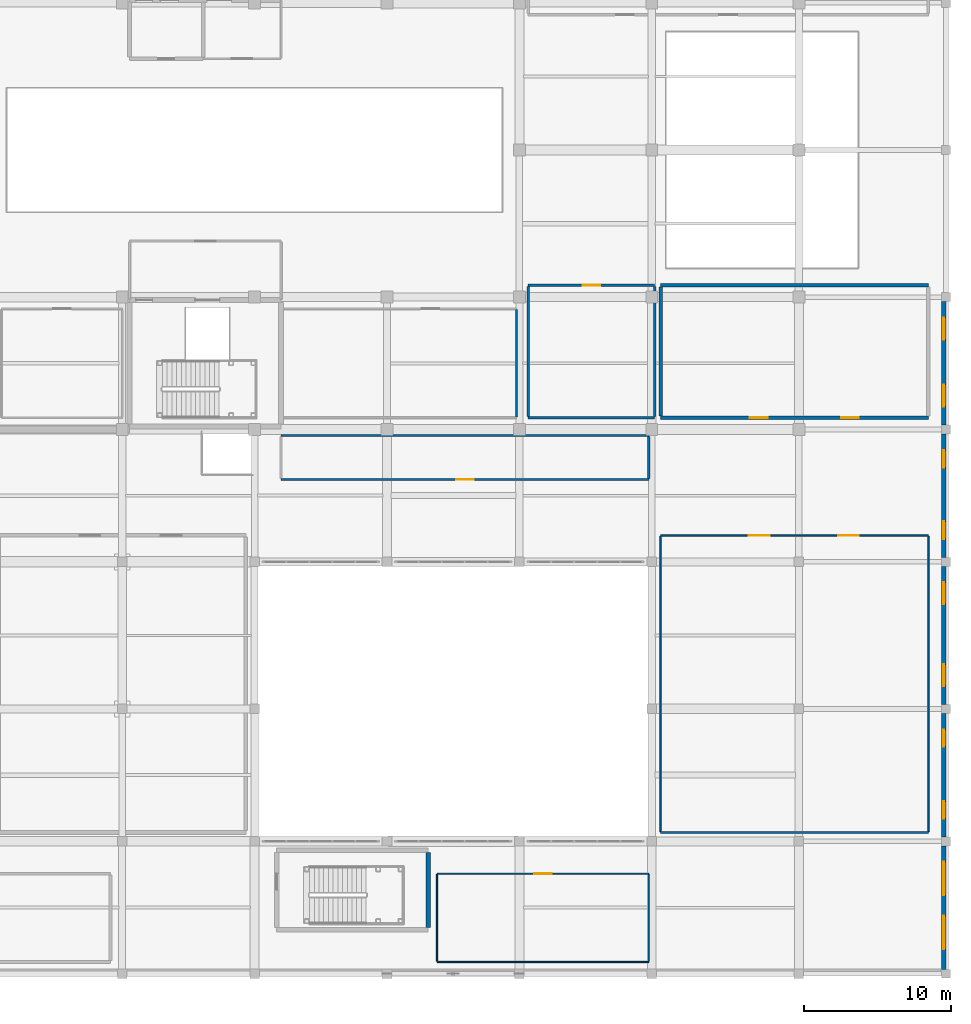
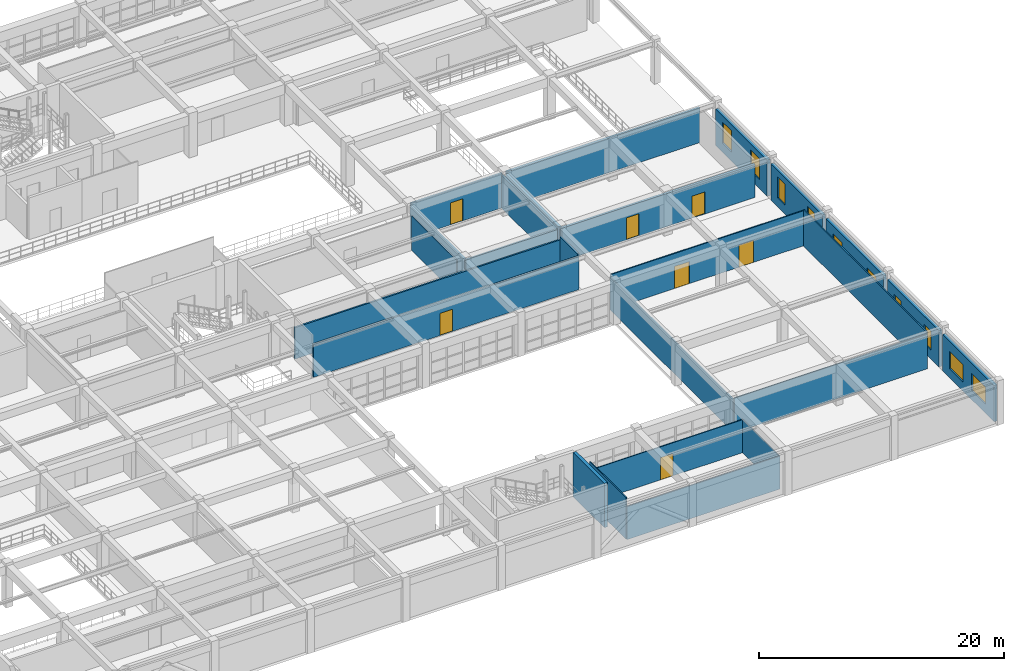
# One storey, part 116 of 133: 25 walls, 10 windows, 7 doors, 17 openings.
"""IFC4 building model written with IfcOpenShell, lengths in metres."""

from ifc_helpers import new_model, si_unit, direction, frame, frame_2d, origin, place, context, subcontext, project, spatial, rectangle, extrude, material, layer, layer_set, type_object, element, fill, save


model = new_model("IFC4")

# Units and contexts
model_context = context("Model", 3, precision=1e-05, world=origin(), true_north=direction((0.0, 1.0)))
body_context = subcontext(model_context, "Body", "Model", "MODEL_VIEW")
ifc_project = project(units=[si_unit("LENGTHUNIT", "METRE"), si_unit("AREAUNIT", "SQUARE_METRE"), si_unit("VOLUMEUNIT", "CUBIC_METRE"), si_unit("PLANEANGLEUNIT", "RADIAN"), si_unit("MASSUNIT", "GRAM", prefix="KILO")], contexts=[model_context])

# Site, building, storey
site_placement = place(None, origin())
site = spatial("IfcSite", under=ifc_project, at=site_placement, CompositionType="ELEMENT")
building_placement = place(site_placement, origin())
building = spatial("IfcBuilding", under=site, at=building_placement, Name="Miravela Opera House", CompositionType="ELEMENT")
storey_placement = place(building_placement, frame((0.0, 0.0, 5.10009765625)))
storey = spatial("IfcBuildingStorey", under=building, at=storey_placement, Name="L01", CompositionType="ELEMENT", Elevation=5.10009765625)

# Wall, openings, windows
ifc_material_1 = material(Name="Insulated cream lime-stuccoed masonry", Category="masonry")
ifc_layer_1 = layer(ifc_material_1, 0.2900390625)
ifc_layer_set_1 = layer_set([ifc_layer_1])
wall_type_1 = type_object("IfcWallType", Name="ARC-EW-STUCCO-290", PredefinedType="STANDARD", material=ifc_layer_set_1)
wall_1_placement = place(storey_placement, frame((163.85009765625, 0.300048828125, 0.0), z_axis=(0.0, 0.0, 1.0), x_axis=(0.0, 1.0, 0.0)))
wall_1 = element("IfcWall", 1, at=wall_1_placement, inside=storey, type_object=wall_type_1, Name="Spanish Colonial Stucco Facade Wall L01-001", PredefinedType="STANDARD", context=body_context, shape_type="SweptSolid", body=[
    extrude(rectangle(XDim=8.39990234375, YDim=0.2900390625, at=frame_2d((4.199951171875, 0.0))), origin(), (0.0, 0.0, 1.0), 3.616943359375),
])
opening_1_placement = place(wall_1_placement, frame((1.35009765625, 0.0, 0.89990234375)))
opening_1 = element("IfcOpeningElement", 2, at=opening_1_placement, cuts=wall_1, Name="Opening W-34", PredefinedType="OPENING", context=body_context, shape_type="SweptSolid", body=[
    extrude(rectangle(XDim=2.280029296875, YDim=1.719970703125, at=frame_2d((1.14013671875, 0.85986328125))), frame((0.0, 0.155029296875, 0.0), z_axis=(0.0, -1.0, 0.0), x_axis=(1.0, 0.0, 0.0)), (0.0, 0.0, 1.0), 0.31005859375),
])
opening_2_placement = place(wall_1_placement, frame((5.02001953125, 0.0, 0.89990234375)))
opening_2 = element("IfcOpeningElement", 3, at=opening_2_placement, cuts=wall_1, Name="Opening W-34", PredefinedType="OPENING", context=body_context, shape_type="SweptSolid", body=[
    extrude(rectangle(XDim=2.280029296875, YDim=1.719970703125, at=frame_2d((1.14013671875, 0.85986328125))), frame((0.0, 0.155029296875, 0.0), z_axis=(0.0, -1.0, 0.0), x_axis=(1.0, 0.0, 0.0)), (0.0, 0.0, 1.0), 0.31005859375),
])
ifc_material_2 = material(Name="Bronze-anodised aluminium and acoustic low-E glass", Category="aluminium")
window_type_1 = type_object("IfcWindowType", Name="ARC-WIN-34", PartitioningType="TRIPLE_PANEL_VERTICAL", PredefinedType="WINDOW", material=ifc_material_2)
window_1_placement = place(opening_1_placement, origin())
window_1 = element("IfcWindow", 4, at=window_1_placement, inside=storey, type_object=window_type_1, Name="Window W-34 #025", OverallHeight=1.719970703125, OverallWidth=2.280029296875, PartitioningType="TRIPLE_PANEL_VERTICAL", PredefinedType="WINDOW", context=body_context, shape_type="SweptSolid", body=[
    extrude(rectangle(XDim=2.280029296875, YDim=1.719970703125, at=frame_2d((1.14013671875, 0.85986328125))), frame((0.0, 0.030029296875, 0.0), z_axis=(0.0, -1.0, 0.0), x_axis=(1.0, 0.0, 0.0)), (0.0, 0.0, 1.0), 0.06005859375),
])
fill(opening_1, window_1)
window_2_placement = place(opening_2_placement, origin())
window_2 = element("IfcWindow", 5, at=window_2_placement, inside=storey, type_object=window_type_1, Name="Window W-34 #026", OverallHeight=1.719970703125, OverallWidth=2.280029296875, PartitioningType="TRIPLE_PANEL_VERTICAL", PredefinedType="WINDOW", context=body_context, shape_type="SweptSolid", body=[
    extrude(rectangle(XDim=2.280029296875, YDim=1.719970703125, at=frame_2d((1.14013671875, 0.85986328125))), frame((0.0, 0.030029296875, 0.0), z_axis=(0.0, -1.0, 0.0), x_axis=(1.0, 0.0, 0.0)), (0.0, 0.0, 1.0), 0.06005859375),
])
fill(opening_2, window_2)

wall_2_placement = place(storey_placement, frame((163.85009765625, 9.300048828125, 0.0), z_axis=(0.0, 0.0, 1.0), x_axis=(0.0, 1.0, 0.0)))
wall_2 = element("IfcWall", 6, at=wall_2_placement, inside=storey, type_object=wall_type_1, Name="Spanish Colonial Stucco Facade Wall L01-002", PredefinedType="STANDARD", context=body_context, shape_type="SweptSolid", body=[
    extrude(rectangle(XDim=8.39990234375, YDim=0.2900390625, at=frame_2d((4.199951171875, 0.0))), origin(), (0.0, 0.0, 1.0), 3.616943359375),
])
opening_3_placement = place(wall_2_placement, frame((1.25, 0.0, 0.89990234375)))
opening_3 = element("IfcOpeningElement", 7, at=opening_3_placement, cuts=wall_2, Name="Opening W-35", PredefinedType="OPENING", context=body_context, shape_type="SweptSolid", body=[
    extrude(rectangle(XDim=1.159912109375, YDim=1.89990234375, at=frame_2d((0.580078125, 0.949951171875))), frame((0.0, 0.155029296875, 0.0), z_axis=(0.0, -1.0, 0.0), x_axis=(1.0, 0.0, 0.0)), (0.0, 0.0, 1.0), 0.31005859375),
])
opening_4_placement = place(wall_2_placement, frame((6.139892578125, 0.0, 0.89990234375)))
opening_4 = element("IfcOpeningElement", 8, at=opening_4_placement, cuts=wall_2, Name="Opening W-35", PredefinedType="OPENING", context=body_context, shape_type="SweptSolid", body=[
    extrude(rectangle(XDim=1.159912109375, YDim=1.89990234375, at=frame_2d((0.580078125, 0.949951171875))), frame((0.0, 0.155029296875, 0.0), z_axis=(0.0, -1.0, 0.0), x_axis=(1.0, 0.0, 0.0)), (0.0, 0.0, 1.0), 0.31005859375),
])
window_type_2 = type_object("IfcWindowType", Name="ARC-WIN-35", PartitioningType="SINGLE_PANEL", PredefinedType="WINDOW", material=ifc_material_2)
window_3_placement = place(opening_3_placement, origin())
window_3 = element("IfcWindow", 9, at=window_3_placement, inside=storey, type_object=window_type_2, Name="Window W-35 #027", OverallHeight=1.89990234375, OverallWidth=1.159912109375, PartitioningType="SINGLE_PANEL", PredefinedType="WINDOW", context=body_context, shape_type="SweptSolid", body=[
    extrude(rectangle(XDim=1.159912109375, YDim=1.89990234375, at=frame_2d((0.580078125, 0.949951171875))), frame((0.0, 0.030029296875, 0.0), z_axis=(0.0, -1.0, 0.0), x_axis=(1.0, 0.0, 0.0)), (0.0, 0.0, 1.0), 0.06005859375),
])
fill(opening_3, window_3)
window_4_placement = place(opening_4_placement, origin())
window_4 = element("IfcWindow", 10, at=window_4_placement, inside=storey, type_object=window_type_2, Name="Window W-35 #028", OverallHeight=1.89990234375, OverallWidth=1.159912109375, PartitioningType="SINGLE_PANEL", PredefinedType="WINDOW", context=body_context, shape_type="SweptSolid", body=[
    extrude(rectangle(XDim=1.159912109375, YDim=1.89990234375, at=frame_2d((0.580078125, 0.949951171875))), frame((0.0, 0.030029296875, 0.0), z_axis=(0.0, -1.0, 0.0), x_axis=(1.0, 0.0, 0.0)), (0.0, 0.0, 1.0), 0.06005859375),
])
fill(opening_4, window_4)

wall_3_placement = place(storey_placement, frame((163.85009765625, 18.300048828125, 0.0), z_axis=(0.0, 0.0, 1.0), x_axis=(0.0, 1.0, 0.0)))
wall_3 = element("IfcWall", 11, at=wall_3_placement, inside=storey, type_object=wall_type_1, Name="Spanish Colonial Stucco Facade Wall L01-003", PredefinedType="STANDARD", context=body_context, shape_type="SweptSolid", body=[
    extrude(rectangle(XDim=9.39990234375, YDim=0.2900390625, at=frame_2d((4.699951171875, 0.0))), origin(), (0.0, 0.0, 1.0), 3.616943359375),
])
opening_5_placement = place(wall_3_placement, frame((1.25, 0.0, 0.89990234375)))
opening_5 = element("IfcOpeningElement", 12, at=opening_5_placement, cuts=wall_3, Name="Opening W-36", PredefinedType="OPENING", context=body_context, shape_type="SweptSolid", body=[
    extrude(rectangle(XDim=1.47998046875, YDim=1.89990234375, at=frame_2d((0.739990234375, 0.949951171875))), frame((0.0, 0.155029296875, 0.0), z_axis=(0.0, -1.0, 0.0), x_axis=(1.0, 0.0, 0.0)), (0.0, 0.0, 1.0), 0.31005859375),
])
opening_6_placement = place(wall_3_placement, frame((6.820068359375, 0.0, 0.89990234375)))
opening_6 = element("IfcOpeningElement", 13, at=opening_6_placement, cuts=wall_3, Name="Opening W-36", PredefinedType="OPENING", context=body_context, shape_type="SweptSolid", body=[
    extrude(rectangle(XDim=1.47998046875, YDim=1.89990234375, at=frame_2d((0.739990234375, 0.949951171875))), frame((0.0, 0.155029296875, 0.0), z_axis=(0.0, -1.0, 0.0), x_axis=(1.0, 0.0, 0.0)), (0.0, 0.0, 1.0), 0.31005859375),
])
window_type_3 = type_object("IfcWindowType", Name="ARC-WIN-36", PartitioningType="DOUBLE_PANEL_VERTICAL", PredefinedType="WINDOW", material=ifc_material_2)
window_5_placement = place(opening_5_placement, origin())
window_5 = element("IfcWindow", 14, at=window_5_placement, inside=storey, type_object=window_type_3, Name="Window W-36 #029", OverallHeight=1.89990234375, OverallWidth=1.47998046875, PartitioningType="DOUBLE_PANEL_VERTICAL", PredefinedType="WINDOW", context=body_context, shape_type="SweptSolid", body=[
    extrude(rectangle(XDim=1.47998046875, YDim=1.89990234375, at=frame_2d((0.739990234375, 0.949951171875))), frame((0.0, 0.030029296875, 0.0), z_axis=(0.0, -1.0, 0.0), x_axis=(1.0, 0.0, 0.0)), (0.0, 0.0, 1.0), 0.06005859375),
])
fill(opening_5, window_5)
window_6_placement = place(opening_6_placement, origin())
window_6 = element("IfcWindow", 15, at=window_6_placement, inside=storey, type_object=window_type_3, Name="Window W-36 #030", OverallHeight=1.89990234375, OverallWidth=1.47998046875, PartitioningType="DOUBLE_PANEL_VERTICAL", PredefinedType="WINDOW", context=body_context, shape_type="SweptSolid", body=[
    extrude(rectangle(XDim=1.47998046875, YDim=1.89990234375, at=frame_2d((0.739990234375, 0.949951171875))), frame((0.0, 0.030029296875, 0.0), z_axis=(0.0, -1.0, 0.0), x_axis=(1.0, 0.0, 0.0)), (0.0, 0.0, 1.0), 0.06005859375),
])
fill(opening_6, window_6)

wall_4_placement = place(storey_placement, frame((163.85009765625, 28.300048828125, 0.0), z_axis=(0.0, 0.0, 1.0), x_axis=(0.0, 1.0, 0.0)))
wall_4 = element("IfcWall", 16, at=wall_4_placement, inside=storey, type_object=wall_type_1, Name="Spanish Colonial Stucco Facade Wall L01-004", PredefinedType="STANDARD", context=body_context, shape_type="SweptSolid", body=[
    extrude(rectangle(XDim=8.39990234375, YDim=0.2900390625, at=frame_2d((4.199951171875, 0.0))), origin(), (0.0, 0.0, 1.0), 3.616943359375),
])
opening_7_placement = place(wall_4_placement, frame((1.25, 0.0, 0.89990234375)))
opening_7 = element("IfcOpeningElement", 17, at=opening_7_placement, cuts=wall_4, Name="Opening W-01", PredefinedType="OPENING", context=body_context, shape_type="SweptSolid", body=[
    extrude(rectangle(XDim=1.199951171875, YDim=2.10009765625, at=frame_2d((0.60009765625, 1.050048828125))), frame((0.0, 0.155029296875, 0.0), z_axis=(0.0, -1.0, 0.0), x_axis=(1.0, 0.0, 0.0)), (0.0, 0.0, 1.0), 0.31005859375),
])
opening_8_placement = place(wall_4_placement, frame((6.10009765625, 0.0, 0.89990234375)))
opening_8 = element("IfcOpeningElement", 18, at=opening_8_placement, cuts=wall_4, Name="Opening W-01", PredefinedType="OPENING", context=body_context, shape_type="SweptSolid", body=[
    extrude(rectangle(XDim=1.199951171875, YDim=2.10009765625, at=frame_2d((0.60009765625, 1.050048828125))), frame((0.0, 0.155029296875, 0.0), z_axis=(0.0, -1.0, 0.0), x_axis=(1.0, 0.0, 0.0)), (0.0, 0.0, 1.0), 0.31005859375),
])
window_type_4 = type_object("IfcWindowType", Name="ARC-WIN-01", PartitioningType="SINGLE_PANEL", PredefinedType="WINDOW", material=ifc_material_2)
window_7_placement = place(opening_7_placement, origin())
window_7 = element("IfcWindow", 19, at=window_7_placement, inside=storey, type_object=window_type_4, Name="Window W-01 #031", OverallHeight=2.10009765625, OverallWidth=1.199951171875, PartitioningType="SINGLE_PANEL", PredefinedType="WINDOW", context=body_context, shape_type="SweptSolid", body=[
    extrude(rectangle(XDim=1.199951171875, YDim=2.10009765625, at=frame_2d((0.60009765625, 1.050048828125))), frame((0.0, 0.030029296875, 0.0), z_axis=(0.0, -1.0, 0.0), x_axis=(1.0, 0.0, 0.0)), (0.0, 0.0, 1.0), 0.06005859375),
])
fill(opening_7, window_7)
window_8_placement = place(opening_8_placement, origin())
window_8 = element("IfcWindow", 20, at=window_8_placement, inside=storey, type_object=window_type_4, Name="Window W-01 #032", OverallHeight=2.10009765625, OverallWidth=1.199951171875, PartitioningType="SINGLE_PANEL", PredefinedType="WINDOW", context=body_context, shape_type="SweptSolid", body=[
    extrude(rectangle(XDim=1.199951171875, YDim=2.10009765625, at=frame_2d((0.60009765625, 1.050048828125))), frame((0.0, 0.030029296875, 0.0), z_axis=(0.0, -1.0, 0.0), x_axis=(1.0, 0.0, 0.0)), (0.0, 0.0, 1.0), 0.06005859375),
])
fill(opening_8, window_8)

wall_5_placement = place(storey_placement, frame((163.85009765625, 37.300048828125, 0.0), z_axis=(0.0, 0.0, 1.0), x_axis=(0.0, 1.0, 0.0)))
wall_5 = element("IfcWall", 21, at=wall_5_placement, inside=storey, type_object=wall_type_1, Name="Spanish Colonial Stucco Facade Wall L01-005", PredefinedType="STANDARD", context=body_context, shape_type="SweptSolid", body=[
    extrude(rectangle(XDim=8.39990234375, YDim=0.2900390625, at=frame_2d((4.199951171875, 0.0))), origin(), (0.0, 0.0, 1.0), 3.616943359375),
])
opening_9_placement = place(wall_5_placement, frame((1.25, 0.0, 0.89990234375)))
opening_9 = element("IfcOpeningElement", 22, at=opening_9_placement, cuts=wall_5, Name="Opening W-02", PredefinedType="OPENING", context=body_context, shape_type="SweptSolid", body=[
    extrude(rectangle(XDim=1.5, YDim=2.10009765625, at=frame_2d((0.75, 1.050048828125))), frame((0.0, 0.155029296875, 0.0), z_axis=(0.0, -1.0, 0.0), x_axis=(1.0, 0.0, 0.0)), (0.0, 0.0, 1.0), 0.31005859375),
])
opening_10_placement = place(wall_5_placement, frame((5.800048828125, 0.0, 0.89990234375)))
opening_10 = element("IfcOpeningElement", 23, at=opening_10_placement, cuts=wall_5, Name="Opening W-02", PredefinedType="OPENING", context=body_context, shape_type="SweptSolid", body=[
    extrude(rectangle(XDim=1.5, YDim=2.10009765625, at=frame_2d((0.75, 1.050048828125))), frame((0.0, 0.155029296875, 0.0), z_axis=(0.0, -1.0, 0.0), x_axis=(1.0, 0.0, 0.0)), (0.0, 0.0, 1.0), 0.31005859375),
])
window_type_5 = type_object("IfcWindowType", Name="ARC-WIN-02", PartitioningType="DOUBLE_PANEL_VERTICAL", PredefinedType="WINDOW", material=ifc_material_2)
window_9_placement = place(opening_9_placement, origin())
window_9 = element("IfcWindow", 24, at=window_9_placement, inside=storey, type_object=window_type_5, Name="Window W-02 #033", OverallHeight=2.10009765625, OverallWidth=1.5, PartitioningType="DOUBLE_PANEL_VERTICAL", PredefinedType="WINDOW", context=body_context, shape_type="SweptSolid", body=[
    extrude(rectangle(XDim=1.5, YDim=2.10009765625, at=frame_2d((0.75, 1.050048828125))), frame((0.0, 0.030029296875, 0.0), z_axis=(0.0, -1.0, 0.0), x_axis=(1.0, 0.0, 0.0)), (0.0, 0.0, 1.0), 0.06005859375),
])
fill(opening_9, window_9)
window_10_placement = place(opening_10_placement, origin())
window_10 = element("IfcWindow", 25, at=window_10_placement, inside=storey, type_object=window_type_5, Name="Window W-02 #034", OverallHeight=2.10009765625, OverallWidth=1.5, PartitioningType="DOUBLE_PANEL_VERTICAL", PredefinedType="WINDOW", context=body_context, shape_type="SweptSolid", body=[
    extrude(rectangle(XDim=1.5, YDim=2.10009765625, at=frame_2d((0.75, 1.050048828125))), frame((0.0, 0.030029296875, 0.0), z_axis=(0.0, -1.0, 0.0), x_axis=(1.0, 0.0, 0.0)), (0.0, 0.0, 1.0), 0.06005859375),
])
fill(opening_10, window_10)

# Wall
ifc_material_3 = material(Name="Acoustic metal-stud gypsum partition")
ifc_layer_2 = layer(ifc_material_3, 0.090087890625)
ifc_layer_set_2 = layer_set([ifc_layer_2])
wall_type_2 = type_object("IfcWallType", Name="ARC-PT-090", PredefinedType="PARTITIONING", material=ifc_layer_set_2)
wall_6_placement = place(storey_placement, frame((129.39990234375, 0.800048828125, 0.0), z_axis=(0.0, 0.0, 1.0), x_axis=(1.0, 0.0, 0.0)))
element("IfcWall", 26, at=wall_6_placement, inside=storey, type_object=wall_type_2, Name="Millinery and Wig Workshop Partition South", PredefinedType="PARTITIONING", context=body_context, shape_type="SweptSolid", body=[
    extrude(rectangle(XDim=14.400146484375, YDim=0.090087890625, at=frame_2d((7.2001953125, 0.0))), origin(), (0.0, 0.0, 1.0), 3.289794921875),
])

# Wall, opening, door
wall_7_placement = place(storey_placement, frame((129.39990234375, 6.800048828125, 0.0), z_axis=(0.0, 0.0, 1.0), x_axis=(1.0, 0.0, 0.0)))
wall_7 = element("IfcWall", 27, at=wall_7_placement, inside=storey, type_object=wall_type_2, Name="Millinery and Wig Workshop Partition North", PredefinedType="PARTITIONING", context=body_context, shape_type="SweptSolid", body=[
    extrude(rectangle(XDim=14.400146484375, YDim=0.090087890625, at=frame_2d((7.2001953125, 0.0))), origin(), (0.0, 0.0, 1.0), 3.289794921875),
])
opening_11_placement = place(wall_7_placement, frame((6.60009765625, 0.0, 0.0)))
opening_11 = element("IfcOpeningElement", 28, at=opening_11_placement, cuts=wall_7, Name="Opening ID-04", PredefinedType="OPENING", context=body_context, shape_type="SweptSolid", body=[
    extrude(rectangle(XDim=1.199951171875, YDim=2.199951171875, at=frame_2d((0.60009765625, 1.10009765625))), frame((0.0, 0.054931640625, 0.0), z_axis=(0.0, -1.0, 0.0), x_axis=(1.0, 0.0, 0.0)), (0.0, 0.0, 1.0), 0.110107421875),
])
ifc_material_4 = material(Name="Wide acoustic ensemble door")
door_type_1 = type_object("IfcDoorType", Name="ARC-DR-1200X2200", OperationType="NOTDEFINED", PredefinedType="DOOR", material=ifc_material_4)
door_1_placement = place(opening_11_placement, frame((1.199951171875, 0.0, 0.0), z_axis=(0.0, 0.0, 1.0), x_axis=(-1.0, 0.0, 0.0)))
door_1 = element("IfcDoor", 29, at=door_1_placement, inside=storey, type_object=door_type_1, Name="Millinery and Wig Workshop Entry Door IDR-L01-0180", OperationType="SINGLE_SWING_RIGHT", OverallHeight=2.199951171875, OverallWidth=1.199951171875, PredefinedType="DOOR", context=body_context, shape_type="SweptSolid", body=[
    extrude(rectangle(XDim=1.199951171875, YDim=2.199951171875, at=frame_2d((0.60009765625, 1.10009765625))), frame((0.0, 0.02490234375, 0.0), z_axis=(0.0, -1.0, 0.0), x_axis=(1.0, 0.0, 0.0)), (0.0, 0.0, 1.0), 0.050048828125),
])
fill(opening_11, door_1)

# Walls
wall_8_placement = place(storey_placement, frame((129.39990234375, 0.844970703125, 0.0), z_axis=(0.0, 0.0, 1.0), x_axis=(0.0, 1.0, 0.0)))
element("IfcWall", 30, at=wall_8_placement, inside=storey, type_object=wall_type_2, Name="Millinery and Wig Workshop Partition West", PredefinedType="PARTITIONING", context=body_context, shape_type="SweptSolid", body=[
    extrude(rectangle(XDim=5.909912109375, YDim=0.090087890625, at=frame_2d((2.955078125, 0.0))), origin(), (0.0, 0.0, 1.0), 4.159912109375),
])
wall_9_placement = place(storey_placement, frame((143.800048828125, 0.844970703125, 0.0), z_axis=(0.0, 0.0, 1.0), x_axis=(0.0, 1.0, 0.0)))
element("IfcWall", 31, at=wall_9_placement, inside=storey, type_object=wall_type_2, Name="Millinery and Wig Workshop Partition East", PredefinedType="PARTITIONING", context=body_context, shape_type="SweptSolid", body=[
    extrude(rectangle(XDim=5.909912109375, YDim=0.090087890625, at=frame_2d((2.955078125, 0.0))), origin(), (0.0, 0.0, 1.0), 3.289794921875),
])
ifc_material_5 = material(Name="Double-layer acoustic gypsum partition")
ifc_layer_3 = layer(ifc_material_5, 0.110107421875)
ifc_layer_set_3 = layer_set([ifc_layer_3])
wall_type_3 = type_object("IfcWallType", Name="ARC-PT-110", PredefinedType="PARTITIONING", material=ifc_layer_set_3)
wall_10_placement = place(storey_placement, frame((144.60009765625, 9.60009765625, 0.0), z_axis=(0.0, 0.0, 1.0), x_axis=(1.0, 0.0, 0.0)))
element("IfcWall", 32, at=wall_10_placement, inside=storey, type_object=wall_type_3, Name="Stage Lighting and Rigging Workshop Partition South", PredefinedType="PARTITIONING", context=body_context, shape_type="SweptSolid", body=[
    extrude(rectangle(XDim=18.199951171875, YDim=0.110107421875, at=frame_2d((9.10009765625, 0.0))), origin(), (0.0, 0.0, 1.0), 3.43994140625),
])

# Wall, openings, doors
wall_11_placement = place(storey_placement, frame((144.60009765625, 29.800048828125, 0.0), z_axis=(0.0, 0.0, 1.0), x_axis=(1.0, 0.0, 0.0)))
wall_11 = element("IfcWall", 33, at=wall_11_placement, inside=storey, type_object=wall_type_3, Name="Stage Lighting and Rigging Workshop Partition North", PredefinedType="PARTITIONING", context=body_context, shape_type="SweptSolid", body=[
    extrude(rectangle(XDim=18.199951171875, YDim=0.110107421875, at=frame_2d((9.10009765625, 0.0))), origin(), (0.0, 0.0, 1.0), 3.489990234375),
])
opening_12_placement = place(wall_11_placement, frame((6.006103515625, 0.0, 0.0)))
opening_12 = element("IfcOpeningElement", 34, at=opening_12_placement, cuts=wall_11, Name="Opening FD-03", PredefinedType="OPENING", context=body_context, shape_type="SweptSolid", body=[
    extrude(rectangle(XDim=1.39990234375, YDim=2.199951171875, at=frame_2d((0.699951171875, 1.10009765625))), frame((0.0, 0.06494140625, 0.0), z_axis=(0.0, -1.0, 0.0), x_axis=(1.0, 0.0, 0.0)), (0.0, 0.0, 1.0), 0.130126953125),
])
opening_13_placement = place(wall_11_placement, frame((12.068115234375, 0.0, 0.0)))
opening_13 = element("IfcOpeningElement", 35, at=opening_13_placement, cuts=wall_11, Name="Opening FD-03", PredefinedType="OPENING", context=body_context, shape_type="SweptSolid", body=[
    extrude(rectangle(XDim=1.39990234375, YDim=2.199951171875, at=frame_2d((0.699951171875, 1.10009765625))), frame((0.0, 0.06494140625, 0.0), z_axis=(0.0, -1.0, 0.0), x_axis=(1.0, 0.0, 0.0)), (0.0, 0.0, 1.0), 0.130126953125),
])
ifc_material_6 = material(Name="Fire-rated lobby/archive double door")
door_type_2 = type_object("IfcDoorType", Name="ARC-FD-1400X2200", OperationType="NOTDEFINED", PredefinedType="DOOR", material=ifc_material_6)
door_2_placement = place(opening_12_placement, origin())
door_2 = element("IfcDoor", 36, at=door_2_placement, inside=storey, type_object=door_type_2, Name="Stage Lighting and Rigging Workshop Entry Door IDR-L01-0181", OperationType="DOUBLE_DOOR_SINGLE_SWING", OverallHeight=2.199951171875, OverallWidth=1.39990234375, PredefinedType="DOOR", context=body_context, shape_type="SweptSolid", body=[
    extrude(rectangle(XDim=1.39990234375, YDim=2.199951171875, at=frame_2d((0.699951171875, 1.10009765625))), frame((0.0, 0.02490234375, 0.0), z_axis=(0.0, -1.0, 0.0), x_axis=(1.0, 0.0, 0.0)), (0.0, 0.0, 1.0), 0.050048828125),
])
fill(opening_12, door_2)
door_3_placement = place(opening_13_placement, origin())
door_3 = element("IfcDoor", 37, at=door_3_placement, inside=storey, type_object=door_type_2, Name="Stage Lighting and Rigging Workshop Secondary Exit Door IDR-L01-0182", OperationType="DOUBLE_DOOR_SINGLE_SWING", OverallHeight=2.199951171875, OverallWidth=1.39990234375, PredefinedType="DOOR", context=body_context, shape_type="SweptSolid", body=[
    extrude(rectangle(XDim=1.39990234375, YDim=2.199951171875, at=frame_2d((0.699951171875, 1.10009765625))), frame((0.0, 0.02490234375, 0.0), z_axis=(0.0, -1.0, 0.0), x_axis=(1.0, 0.0, 0.0)), (0.0, 0.0, 1.0), 0.050048828125),
])
fill(opening_13, door_3)

# Walls
wall_12_placement = place(storey_placement, frame((144.60009765625, 9.655029296875, 0.0), z_axis=(0.0, 0.0, 1.0), x_axis=(0.0, 1.0, 0.0)))
element("IfcWall", 38, at=wall_12_placement, inside=storey, type_object=wall_type_3, Name="Stage Lighting and Rigging Workshop Partition West", PredefinedType="PARTITIONING", context=body_context, shape_type="SweptSolid", body=[
    extrude(rectangle(XDim=20.090087890625, YDim=0.110107421875, at=frame_2d((10.044921875, 0.0))), origin(), (0.0, 0.0, 1.0), 3.239990234375),
])
wall_13_placement = place(storey_placement, frame((162.800048828125, 9.655029296875, 0.0), z_axis=(0.0, 0.0, 1.0), x_axis=(0.0, 1.0, 0.0)))
element("IfcWall", 39, at=wall_13_placement, inside=storey, type_object=wall_type_3, Name="Stage Lighting and Rigging Workshop Partition East", PredefinedType="PARTITIONING", context=body_context, shape_type="SweptSolid", body=[
    extrude(rectangle(XDim=20.090087890625, YDim=0.110107421875, at=frame_2d((10.044921875, 0.0))), origin(), (0.0, 0.0, 1.0), 3.616943359375),
])
wall_14_placement = place(storey_placement, frame((134.800048828125, 37.85498046875, 0.0), z_axis=(0.0, 0.0, 1.0), x_axis=(0.0, 1.0, 0.0)))
element("IfcWall", 40, at=wall_14_placement, inside=storey, type_object=wall_type_3, Name="Stage Rigging Control and Cueing Studio Partition East", PredefinedType="PARTITIONING", context=body_context, shape_type="SweptSolid", body=[
    extrude(rectangle(XDim=7.2900390625, YDim=0.110107421875, at=frame_2d((3.64501953125, 0.0))), origin(), (0.0, 0.0, 1.0), 3.4599609375),
])

# Wall, opening, door
ifc_material_7 = material(Name="Studio double-stud acoustic partition")
ifc_layer_4 = layer(ifc_material_7, 0.14990234375)
ifc_layer_set_4 = layer_set([ifc_layer_4])
wall_type_4 = type_object("IfcWallType", Name="ARC-PT-145", PredefinedType="PARTITIONING", material=ifc_layer_set_4)
wall_15_placement = place(storey_placement, frame((118.800048828125, 33.60009765625, 0.0), z_axis=(0.0, 0.0, 1.0), x_axis=(1.0, 0.0, 0.0)))
wall_15 = element("IfcWall", 41, at=wall_15_placement, inside=storey, type_object=wall_type_4, Name="Scenic Rigging Design Studio Partition South", PredefinedType="PARTITIONING", context=body_context, shape_type="SweptSolid", body=[
    extrude(rectangle(XDim=25.0, YDim=0.14990234375, at=frame_2d((12.5, 0.0))), origin(), (0.0, 0.0, 1.0), 3.289794921875),
])
opening_14_placement = place(wall_15_placement, frame((11.89990234375, 0.0, 0.0)))
opening_14 = element("IfcOpeningElement", 42, at=opening_14_placement, cuts=wall_15, Name="Opening ID-04", PredefinedType="OPENING", context=body_context, shape_type="SweptSolid", body=[
    extrude(rectangle(XDim=1.199951171875, YDim=2.199951171875, at=frame_2d((0.60009765625, 1.10009765625))), frame((0.0, 0.0849609375, 0.0), z_axis=(0.0, -1.0, 0.0), x_axis=(1.0, 0.0, 0.0)), (0.0, 0.0, 1.0), 0.169921875),
])
door_4_placement = place(opening_14_placement, frame((1.199951171875, 0.0, 0.0), z_axis=(0.0, 0.0, 1.0), x_axis=(-1.0, 0.0, 0.0)))
door_4 = element("IfcDoor", 43, at=door_4_placement, inside=storey, type_object=door_type_1, Name="Scenic Rigging Design Studio Entry Door IDR-L01-0194", OperationType="SINGLE_SWING_RIGHT", OverallHeight=2.199951171875, OverallWidth=1.199951171875, PredefinedType="DOOR", context=body_context, shape_type="SweptSolid", body=[
    extrude(rectangle(XDim=1.199951171875, YDim=2.199951171875, at=frame_2d((0.60009765625, 1.10009765625))), frame((0.0, 0.02490234375, 0.0), z_axis=(0.0, -1.0, 0.0), x_axis=(1.0, 0.0, 0.0)), (0.0, 0.0, 1.0), 0.050048828125),
])
fill(opening_14, door_4)

# Walls
wall_16_placement = place(storey_placement, frame((118.800048828125, 36.60009765625, 0.0), z_axis=(0.0, 0.0, 1.0), x_axis=(1.0, 0.0, 0.0)))
element("IfcWall", 44, at=wall_16_placement, inside=storey, type_object=wall_type_4, Name="Scenic Rigging Design Studio Partition North", PredefinedType="PARTITIONING", context=body_context, shape_type="SweptSolid", body=[
    extrude(rectangle(XDim=25.0, YDim=0.14990234375, at=frame_2d((12.5, 0.0))), origin(), (0.0, 0.0, 1.0), 3.139892578125),
])
wall_17_placement = place(storey_placement, frame((143.800048828125, 33.675048828125, 0.0), z_axis=(0.0, 0.0, 1.0), x_axis=(0.0, 1.0, 0.0)))
element("IfcWall", 45, at=wall_17_placement, inside=storey, type_object=wall_type_4, Name="Scenic Rigging Design Studio Partition East", PredefinedType="PARTITIONING", context=body_context, shape_type="SweptSolid", body=[
    extrude(rectangle(XDim=2.849853515625, YDim=0.14990234375, at=frame_2d((1.4248046875, 0.0))), origin(), (0.0, 0.0, 1.0), 3.489990234375),
])
ifc_material_8 = material(Name="Rehearsal isolated acoustic partition")
ifc_layer_5 = layer(ifc_material_8, 0.169921875)
ifc_layer_set_5 = layer_set([ifc_layer_5])
wall_type_5 = type_object("IfcWallType", Name="ARC-PT-170", PredefinedType="PARTITIONING", material=ifc_layer_set_5)
wall_18_placement = place(storey_placement, frame((135.60009765625, 37.800048828125, 0.0), z_axis=(0.0, 0.0, 1.0), x_axis=(1.0, 0.0, 0.0)))
element("IfcWall", 46, at=wall_18_placement, inside=storey, type_object=wall_type_5, Name="Side Stage Upper Lighting Workshop Partition South", PredefinedType="PARTITIONING", context=body_context, shape_type="SweptSolid", body=[
    extrude(rectangle(XDim=8.599853515625, YDim=0.169921875, at=frame_2d((4.2998046875, 0.0))), origin(), (0.0, 0.0, 1.0), 3.289794921875),
])

# Wall, opening, door
wall_19_placement = place(storey_placement, frame((135.60009765625, 46.800048828125, 0.0), z_axis=(0.0, 0.0, 1.0), x_axis=(1.0, 0.0, 0.0)))
wall_19 = element("IfcWall", 47, at=wall_19_placement, inside=storey, type_object=wall_type_5, Name="Side Stage Upper Lighting Workshop Partition North", PredefinedType="PARTITIONING", context=body_context, shape_type="SweptSolid", body=[
    extrude(rectangle(XDim=8.599853515625, YDim=0.169921875, at=frame_2d((4.2998046875, 0.0))), origin(), (0.0, 0.0, 1.0), 3.43994140625),
])
opening_15_placement = place(wall_19_placement, frame((3.699951171875, 0.0, 0.0)))
opening_15 = element("IfcOpeningElement", 48, at=opening_15_placement, cuts=wall_19, Name="Opening FD-02", PredefinedType="OPENING", context=body_context, shape_type="SweptSolid", body=[
    extrude(rectangle(XDim=1.199951171875, YDim=2.199951171875, at=frame_2d((0.60009765625, 1.10009765625))), frame((0.0, 0.094970703125, 0.0), z_axis=(0.0, -1.0, 0.0), x_axis=(1.0, 0.0, 0.0)), (0.0, 0.0, 1.0), 0.18994140625),
])
ifc_material_9 = material(Name="Fire-rated gallery/plant exit door")
door_type_3 = type_object("IfcDoorType", Name="ARC-FD-1200X2200", OperationType="NOTDEFINED", PredefinedType="DOOR", material=ifc_material_9)
door_5_placement = place(opening_15_placement, origin())
door_5 = element("IfcDoor", 49, at=door_5_placement, inside=storey, type_object=door_type_3, Name="Side Stage Upper Lighting Workshop Entry Door IDR-L01-0195", OperationType="SINGLE_SWING_LEFT", OverallHeight=2.199951171875, OverallWidth=1.199951171875, PredefinedType="DOOR", context=body_context, shape_type="SweptSolid", body=[
    extrude(rectangle(XDim=1.199951171875, YDim=2.199951171875, at=frame_2d((0.60009765625, 1.10009765625))), frame((0.0, 0.02490234375, 0.0), z_axis=(0.0, -1.0, 0.0), x_axis=(1.0, 0.0, 0.0)), (0.0, 0.0, 1.0), 0.050048828125),
])
fill(opening_15, door_5)

# Walls
for number, where, z_axis, x_axis, name in (
    (50, (135.60009765625, 37.885009765625, 0.0), (0.0, 0.0, 1.0), (0.0, 1.0, 0.0), "Side Stage Upper Lighting Workshop Partition West"),
    (51, (144.199951171875, 37.885009765625, 0.0), (0.0, 0.0, 1.0), (0.0, 1.0, 0.0), "Side Stage Upper Lighting Workshop Partition East"),
):
    element("IfcWall", number, at=place(storey_placement, frame(where, z_axis=z_axis, x_axis=x_axis)), inside=storey, type_object=wall_type_5, Name=name, PredefinedType="PARTITIONING", context=body_context, shape_type="SweptSolid", body=[
        extrude(rectangle(XDim=8.830078125, YDim=0.169921875, at=frame_2d((4.4150390625, 0.0))), origin(), (0.0, 0.0, 1.0), 3.289794921875),
    ])

# Wall, openings, doors
ifc_material_10 = material(Name="High-STC auditorium lobby partition")
ifc_layer_6 = layer(ifc_material_10, 0.22998046875)
ifc_layer_set_6 = layer_set([ifc_layer_6])
wall_type_6 = type_object("IfcWallType", Name="ARC-PT-205", PredefinedType="PARTITIONING", material=ifc_layer_set_6)
wall_20_placement = place(storey_placement, frame((144.60009765625, 37.800048828125, 0.0), z_axis=(0.0, 0.0, 1.0), x_axis=(1.0, 0.0, 0.0)))
wall_20 = element("IfcWall", 52, at=wall_20_placement, inside=storey, type_object=wall_type_6, Name="Woodwind and Horn Ensemble Studio Partition South", PredefinedType="PARTITIONING", context=body_context, shape_type="SweptSolid", body=[
    extrude(rectangle(XDim=18.199951171875, YDim=0.22998046875, at=frame_2d((9.10009765625, 0.0))), origin(), (0.0, 0.0, 1.0), 3.289794921875),
])
opening_16_placement = place(wall_20_placement, frame((6.075927734375, 0.0, 0.0)))
opening_16 = element("IfcOpeningElement", 53, at=opening_16_placement, cuts=wall_20, Name="Opening ID-04", PredefinedType="OPENING", context=body_context, shape_type="SweptSolid", body=[
    extrude(rectangle(XDim=1.199951171875, YDim=2.199951171875, at=frame_2d((0.60009765625, 1.10009765625))), frame((0.0, 0.125, 0.0), z_axis=(0.0, -1.0, 0.0), x_axis=(1.0, 0.0, 0.0)), (0.0, 0.0, 1.0), 0.25),
])
opening_17_placement = place(wall_20_placement, frame((12.26806640625, 0.0, 0.0)))
opening_17 = element("IfcOpeningElement", 54, at=opening_17_placement, cuts=wall_20, Name="Opening ID-04", PredefinedType="OPENING", context=body_context, shape_type="SweptSolid", body=[
    extrude(rectangle(XDim=1.199951171875, YDim=2.199951171875, at=frame_2d((0.60009765625, 1.10009765625))), frame((0.0, 0.125, 0.0), z_axis=(0.0, -1.0, 0.0), x_axis=(1.0, 0.0, 0.0)), (0.0, 0.0, 1.0), 0.25),
])
door_6_placement = place(opening_16_placement, origin())
door_6 = element("IfcDoor", 55, at=door_6_placement, inside=storey, type_object=door_type_1, Name="Woodwind and Horn Ensemble Studio Entry Door IDR-L01-0210", OperationType="SINGLE_SWING_RIGHT", OverallHeight=2.199951171875, OverallWidth=1.199951171875, PredefinedType="DOOR", context=body_context, shape_type="SweptSolid", body=[
    extrude(rectangle(XDim=1.199951171875, YDim=2.199951171875, at=frame_2d((0.60009765625, 1.10009765625))), frame((0.0, 0.02490234375, 0.0), z_axis=(0.0, -1.0, 0.0), x_axis=(1.0, 0.0, 0.0)), (0.0, 0.0, 1.0), 0.050048828125),
])
fill(opening_16, door_6)
door_7_placement = place(opening_17_placement, origin())
door_7 = element("IfcDoor", 56, at=door_7_placement, inside=storey, type_object=door_type_1, Name="Woodwind and Horn Ensemble Studio Secondary Exit Door IDR-L01-0211", OperationType="SINGLE_SWING_LEFT", OverallHeight=2.199951171875, OverallWidth=1.199951171875, PredefinedType="DOOR", context=body_context, shape_type="SweptSolid", body=[
    extrude(rectangle(XDim=1.199951171875, YDim=2.199951171875, at=frame_2d((0.60009765625, 1.10009765625))), frame((0.0, 0.02490234375, 0.0), z_axis=(0.0, -1.0, 0.0), x_axis=(1.0, 0.0, 0.0)), (0.0, 0.0, 1.0), 0.050048828125),
])
fill(opening_17, door_7)

# Walls
wall_21_placement = place(storey_placement, frame((144.60009765625, 46.800048828125, 0.0), z_axis=(0.0, 0.0, 1.0), x_axis=(1.0, 0.0, 0.0)))
element("IfcWall", 57, at=wall_21_placement, inside=storey, type_object=wall_type_6, Name="Woodwind and Horn Ensemble Studio Partition North", PredefinedType="PARTITIONING", context=body_context, shape_type="SweptSolid", body=[
    extrude(rectangle(XDim=18.199951171875, YDim=0.22998046875, at=frame_2d((9.10009765625, 0.0))), origin(), (0.0, 0.0, 1.0), 3.43994140625),
])
wall_22_placement = place(storey_placement, frame((144.60009765625, 37.9150390625, 0.0), z_axis=(0.0, 0.0, 1.0), x_axis=(0.0, 1.0, 0.0)))
element("IfcWall", 58, at=wall_22_placement, inside=storey, type_object=wall_type_6, Name="Woodwind and Horn Ensemble Studio Partition West", PredefinedType="PARTITIONING", context=body_context, shape_type="SweptSolid", body=[
    extrude(rectangle(XDim=8.77001953125, YDim=0.22998046875, at=frame_2d((4.385009765625, 0.0))), origin(), (0.0, 0.0, 1.0), 3.289794921875),
])
ifc_material_11 = material(Name="Concrete C35/45", Category="concrete")
ifc_layer_7 = layer(ifc_material_11, 0.300048828125)
ifc_layer_set_7 = layer_set([ifc_layer_7])
wall_type_7 = type_object("IfcWallType", Name="STR-WALL-WING-300", PredefinedType="SHEAR", material=ifc_layer_set_7)
wall_23_placement = place(storey_placement, frame((128.800048828125, 3.14990234375, 0.0), z_axis=(0.0, 0.0, 1.0), x_axis=(0.0, 1.0, 0.0)))
element("IfcWall", 59, at=wall_23_placement, inside=storey, type_object=wall_type_7, Name="Core ST-10 Shear Wall East (L01)", PredefinedType="SHEAR", context=body_context, shape_type="SweptSolid", body=[
    extrude(rectangle(XDim=5.10009765625, YDim=0.300048828125, at=frame_2d((2.550048828125, 0.0))), origin(), (0.0, 0.0, 1.0), 4.419921875),
])

save(model, "model.ifc")
